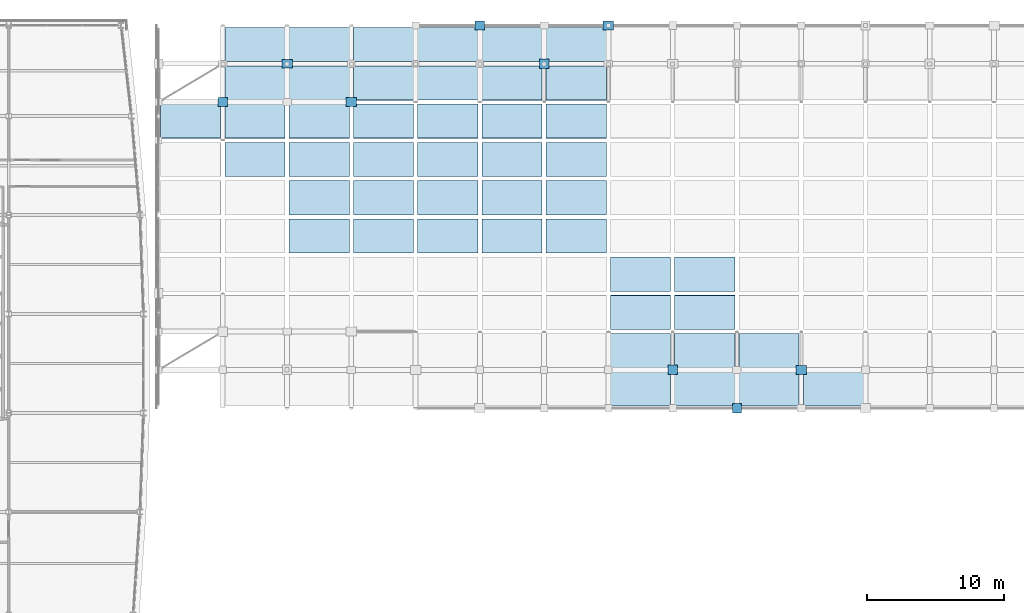
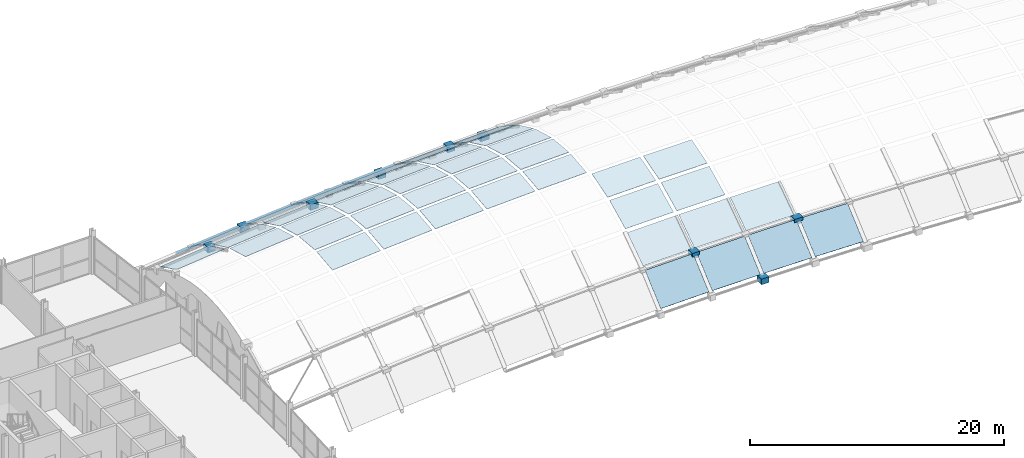
# One storey, part 44 of 65: 55 plates, 1 element without a shape of its own.
"""IFC4 building model written with IfcOpenShell, lengths in metres."""

from ifc_helpers import new_model, si_unit, direction, frame, origin, origin_2d, place, context, subcontext, project, spatial, polyline, rectangle, outline, extrude, material, layer, layer_set, type_object, element, aggregate, save


model = new_model("IFC4")

# Units and contexts
model_context = context("Model", 3, precision=1e-05, world=origin(), true_north=direction((0.0, 1.0)))
body_context = subcontext(model_context, "Body", "Model", "MODEL_VIEW")
ifc_project = project(units=[si_unit("LENGTHUNIT", "METRE"), si_unit("AREAUNIT", "SQUARE_METRE"), si_unit("VOLUMEUNIT", "CUBIC_METRE"), si_unit("PLANEANGLEUNIT", "RADIAN"), si_unit("MASSUNIT", "GRAM", prefix="KILO")], contexts=[model_context])

# Site, building, storey
site_placement = place(None, origin())
site = spatial("IfcSite", under=ifc_project, at=site_placement, CompositionType="ELEMENT")
building_placement = place(site_placement, origin())
building = spatial("IfcBuilding", under=site, at=building_placement, Name="Quillay Park Conservatory", CompositionType="ELEMENT")
storey_placement = place(building_placement, frame((0.0, 0.0, 14.10009765625)))
storey = spatial("IfcBuildingStorey", under=building, at=storey_placement, Name="L03", CompositionType="ELEMENT", Elevation=14.10009765625)

# Plates
ifc_material_1 = material(Name="Steel S355J2H", Category="steel")
ifc_layer_1 = layer(ifc_material_1, 0.0439453125)
ifc_layer_set_1 = layer_set([ifc_layer_1], Name="BOLTED GUSSET NODE PLATE GN04 (Steel S355J2H)")
plate_type_1 = type_object("IfcPlateType", Name="BOLTED GUSSET NODE PLATE GN04", PredefinedType="USERDEFINED", material=ifc_layer_set_1)
for number, where, z_axis, x_axis, name in (
    (1, (35.327880859375, 107.830078125, 2.991943359375), (0.0, 0.0, 1.0), (1.0, 0.0, 0.0), "Conservatory gridshell star node GN04 (1,8)"),
    (2, (54.038818359375, 113.39990234375, 0.128662109375), (0.0, 0.0, 1.0), (1.0, 0.0, 0.0), "Conservatory gridshell star node GN04 (5,10)"),
    (3, (58.716796875, 110.614990234375, 2.734130859375), (0.0, 0.0, 1.0), (1.0, 0.0, 0.0), "Conservatory gridshell star node GN04 (6,9)"),
    (4, (68.072265625, 88.3349609375, 2.773193359375), (0.0, 0.0, 1.0), (1.0, 0.0, 0.0), "Conservatory gridshell star node GN04 (8,1)"),
    (5, (72.75, 85.550048828125, 0.359130859375), (0.0, 0.0, 1.0), (1.0, 0.0, 0.0), "Conservatory gridshell star node GN04 (9,0)"),
):
    element("IfcPlate", number, at=place(storey_placement, frame(where, z_axis=z_axis, x_axis=x_axis)), inside=storey, type_object=plate_type_1, Name=name, ObjectType="GUSSET PLATE", PredefinedType="USERDEFINED", context=body_context, shape_type="SweptSolid", body=[
        extrude(rectangle(XDim=0.679931640625, YDim=0.679931640625, at=origin_2d()), origin(), (0.0, 0.0, 1.0), 0.5400390625),
    ])
ifc_material_2 = material(Name="Steel S355J2H", Category="steel")
ifc_layer_2 = layer(ifc_material_2, 0.052001953125)
ifc_layer_set_2 = layer_set([ifc_layer_2], Name="BOLTED GUSSET NODE PLATE GN06 (Steel S355J2H)")
plate_type_2 = type_object("IfcPlateType", Name="BOLTED GUSSET NODE PLATE GN06", PredefinedType="USERDEFINED", material=ifc_layer_set_2)
for number, where, z_axis, x_axis, name in (
    (6, (40.005615234375, 110.614990234375, 1.570068359375), (0.0, 0.0, 1.0), (1.0, 0.0, 0.0), "Conservatory gridshell star node GN06 (2,9)"),
    (7, (44.683349609375, 107.830078125, 3.808349609375), (0.0, 0.0, 1.0), (1.0, 0.0, 0.0), "Conservatory gridshell star node GN06 (3,8)"),
    (8, (63.394287109375, 113.39990234375, 0.480224609375), (0.0, 0.0, 1.0), (1.0, 0.0, 0.0), "Conservatory gridshell star node GN06 (7,10)"),
    (9, (77.427734375, 88.3349609375, 2.773193359375), (0.0, 0.0, 1.0), (1.0, 0.0, 0.0), "Conservatory gridshell star node GN06 (10,1)"),
):
    element("IfcPlate", number, at=place(storey_placement, frame(where, z_axis=z_axis, x_axis=x_axis)), inside=storey, type_object=plate_type_2, Name=name, ObjectType="GUSSET PLATE", PredefinedType="USERDEFINED", context=body_context, shape_type="SweptSolid", body=[
        extrude(rectangle(XDim=0.760009765625, YDim=0.639892578125, at=origin_2d()), origin(), (0.0, 0.0, 1.0), 0.5400390625),
    ])

# Roof, plates
ifc_material_3 = material(Name="Low-Iron Laminated Insulated Glazing", Category="glass")
roof_type = type_object("IfcRoofType", Name="TRANSLATIONAL GRIDSHELL ROOF", PredefinedType="FREEFORM", material=ifc_material_3)
roof_placement = place(storey_placement, origin())
roof = element("IfcRoof", 10, at=roof_placement, inside=storey, type_object=roof_type, Name="Multi-Biome Conservatory Translational Gridshell Roof", PredefinedType="FREEFORM")
ifc_material_4 = material(Name="Low-Iron Laminated Insulated Glazing", Category="glass")
ifc_layer_3 = layer(ifc_material_4, 0.033935546875)
ifc_layer_set_3 = layer_set([ifc_layer_3], Name="GRIDSHELL GLAZED PANEL 34 (Low-Iron Laminated Insulated Glazing)")
plate_type_3 = type_object("IfcPlateType", Name="GRIDSHELL GLAZED PANEL 34", PredefinedType="SHEET", material=ifc_layer_set_3)
plate_1_placement = place(storey_placement, frame((35.477783203125, 107.97998046875, 3.41162109375), z_axis=(-0.077667705746, 0.553813736273, 0.829010297282), x_axis=(0.995640029065, 0.0, 0.09327878925)))
plate_1 = element("IfcPlate", 11, at=plate_1_placement, type_object=plate_type_3, Name="Conservatory Gridshell Roof Glazing Panel 01-08", PredefinedType="SHEET", context=body_context, shape_type="SweptSolid", body=[
    extrude(outline(polyline([(0.0, 0.0), (4.397100919709247, 2.7755575615628914e-17), (4.242243554743631, 2.9846100028627154), (-0.15485736496561642, 2.9846100028627154), (0.0, 0.0)])), origin(), (0.0, 0.0, -1.0), 0.033935546875),
])
plate_2_placement = place(storey_placement, frame((40.155517578125, 96.840087890625, 6.01708984375), z_axis=(-0.080478265234, -0.105946884603, 0.991109734826), x_axis=(0.996719480928, 0.0, 0.080933777493)))
plate_2 = element("IfcPlate", 12, at=plate_2_placement, type_object=plate_type_3, Name="Conservatory Gridshell Roof Glazing Panel 02-04", PredefinedType="SHEET", context=body_context, shape_type="SweptSolid", body=[
    extrude(outline(polyline([(0.0, 0.0), (4.392093894664006, 0.0), (4.4135919293106385, 2.4989277703919033), (0.02149803464663253, 2.4989277703919033), (0.0, 0.0)])), origin(), (0.0, 0.0, -1.0), 0.033935546875),
])
plate_3_placement = place(storey_placement, frame((40.155517578125, 105.195068359375, 5.19677734375), z_axis=(-0.07315684118, 0.427722955998, 0.900944587364), x_axis=(0.996719480928, 0.0, 0.080933777493)))
plate_3 = element("IfcPlate", 13, at=plate_3_placement, type_object=plate_type_3, Name="Conservatory Gridshell Roof Glazing Panel 02-07", PredefinedType="SHEET", context=body_context, shape_type="SweptSolid", body=[
    extrude(outline(polyline([(0.0, 0.0), (4.392093894664006, 0.0), (4.296617329027491, 2.749016615005268), (-0.09547656563651506, 2.749016615005268), (0.0, 0.0)])), origin(), (0.0, 0.0, -1.0), 0.033935546875),
])
plate_4_placement = place(storey_placement, frame((44.833251953125, 102.409912109375, 6.38818359375), z_axis=(-0.065991839217, 0.270256503763, 0.960524075352), x_axis=(0.997648203197, 0.0, 0.068542415031)))
plate_4 = element("IfcPlate", 14, at=plate_4_placement, type_object=plate_type_3, Name="Conservatory Gridshell Roof Glazing Panel 03-06", PredefinedType="SHEET", context=body_context, shape_type="SweptSolid", body=[
    extrude(outline(polyline([(0.0, 0.0), (4.388249959727159, 1.3877787807814457e-17), (4.340323817967104, 2.581156493424172), (-0.04792614176005456, 2.581156493424172), (0.0, 0.0)])), origin(), (0.0, 0.0, -1.0), 0.033935546875),
])
plate_5_placement = place(storey_placement, frame((44.833251953125, 110.764892578125, 2.33349609375), z_axis=(-0.051984404534, 0.651758228332, 0.756643134831), x_axis=(0.997648203197, 0.0, 0.068542415031)))
plate_5 = element("IfcPlate", 15, at=plate_5_placement, type_object=plate_type_3, Name="Conservatory Gridshell Roof Glazing Panel 03-09", PredefinedType="SHEET", context=body_context, shape_type="SweptSolid", body=[
    extrude(outline(polyline([(0.0, 0.0), (4.388249959727159, 5.551115123125783e-17), (4.2415263525511255, 3.276660872287589), (-0.14672360717603297, 3.2766608722875885), (0.0, 0.0)])), origin(), (0.0, 0.0, -1.0), 0.033935546875),
])
plate_6_placement = place(storey_placement, frame((49.510986328125, 99.625, 6.97802734375), z_axis=(-0.055908257904, 0.087548166115, 0.994590159467), x_axis=(0.998423819779, 0.0, 0.05612375699)))
plate_6 = element("IfcPlate", 16, at=plate_6_placement, type_object=plate_type_3, Name="Conservatory Gridshell Roof Glazing Panel 04-05", PredefinedType="SHEET", context=body_context, shape_type="SweptSolid", body=[
    extrude(outline(polyline([(0.0, 0.0), (4.384840987137722, 0.0), (4.372563915296255, 2.494686299771017), (-0.012277071841467254, 2.494686299771017), (0.0, 0.0)])), origin(), (0.0, 0.0, -1.0), 0.033935546875),
])
plate_7_placement = place(storey_placement, frame((49.510986328125, 107.97998046875, 4.54052734375), z_axis=(-0.046690839202, 0.554885883387, 0.830615206911), x_axis=(0.998423819779, 0.0, 0.05612375699)))
plate_7 = element("IfcPlate", 17, at=plate_7_placement, type_object=plate_type_3, Name="Conservatory Gridshell Roof Glazing Panel 04-08", PredefinedType="SHEET", context=body_context, shape_type="SweptSolid", body=[
    extrude(outline(polyline([(0.0, 0.0), (4.384840987137722, -2.7755575615628914e-17), (4.291666781198016, 2.98717194684534), (-0.09317420593970685, 2.9871719468453404), (0.0, 0.0)])), origin(), (0.0, 0.0, -1.0), 0.033935546875),
])
plate_8_placement = place(storey_placement, frame((54.18896484375, 96.840087890625, 6.97412109375), z_axis=(-0.043434440419, -0.106191346437, 0.993396621359), x_axis=(0.999045510911, 0.0, 0.043681427726)))
plate_8 = element("IfcPlate", 18, at=plate_8_placement, type_object=plate_type_3, Name="Conservatory Gridshell Roof Glazing Panel 05-04", PredefinedType="SHEET", context=body_context, shape_type="SweptSolid", body=[
    extrude(outline(polyline([(0.0, 0.0), (4.381867992061984, 0.0), (4.3934708713016954, 2.4989933053777604), (0.011602879239710972, 2.4989933053777604), (0.0, 0.0)])), origin(), (0.0, 0.0, -1.0), 0.033935546875),
])
plate_9_placement = place(storey_placement, frame((54.18896484375, 105.195068359375, 6.15380859375), z_axis=(-0.039467207924, 0.428537992304, 0.902661358789), x_axis=(0.999045510911, 0.0, 0.043681427726)))
plate_9 = element("IfcPlate", 19, at=plate_9_placement, type_object=plate_type_3, Name="Conservatory Gridshell Roof Glazing Panel 05-07", PredefinedType="SHEET", context=body_context, shape_type="SweptSolid", body=[
    extrude(outline(polyline([(0.0, 0.0), (4.381867992061984, 0.0), (4.330337557791504, 2.750191400340104), (-0.05153043427048108, 2.7501914003401042), (0.0, 0.0)])), origin(), (0.0, 0.0, -1.0), 0.033935546875),
])
plate_10_placement = place(storey_placement, frame((58.86669921875, 102.409912109375, 7.16943359375), z_axis=(-0.030049920257, 0.270724591256, 0.962187714524), x_axis=(0.999512674112, 0.0, 0.031215609698)))
plate_10 = element("IfcPlate", 20, at=plate_10_placement, type_object=plate_type_3, Name="Conservatory Gridshell Roof Glazing Panel 06-06", PredefinedType="SHEET", context=body_context, shape_type="SweptSolid", body=[
    extrude(outline(polyline([(0.0, 0.0), (4.379819946518331, 0.0), (4.357993406924493, 2.581509124674777), (-0.02182653959383771, 2.581509124674777), (0.0, 0.0)])), origin(), (0.0, 0.0, -1.0), 0.033935546875),
])
plate_11_placement = place(storey_placement, frame((58.86669921875, 110.764892578125, 3.11474609375), z_axis=(-0.023655965064, 0.652458029956, 0.757455552797), x_axis=(0.999512674112, 0.0, 0.031215609698)))
plate_11 = element("IfcPlate", 21, at=plate_11_placement, type_object=plate_type_3, Name="Conservatory Gridshell Roof Glazing Panel 06-09", PredefinedType="SHEET", context=body_context, shape_type="SweptSolid", body=[
    extrude(outline(polyline([(0.0, 0.0), (4.379819946518331, 1.3877787807814457e-17), (4.312999032007587, 3.279263523150763), (-0.06682091451074339, 3.279263523150763), (0.0, 0.0)])), origin(), (0.0, 0.0, -1.0), 0.033935546875),
])
plate_12_placement = place(storey_placement, frame((63.54443359375, 91.27001953125, 5.17724609375), z_axis=(-0.016800553904, -0.44256393277, 0.89657955966), x_axis=(0.999824480576, 0.0, 0.018735208604)))
plate_12 = element("IfcPlate", 22, at=plate_12_placement, type_object=plate_type_3, Name="Conservatory Gridshell Roof Glazing Panel 07-02", PredefinedType="SHEET", context=body_context, shape_type="SweptSolid", body=[
    extrude(outline(polyline([(0.0, 0.0), (4.378454050609054, 0.0), (4.401433954912065, 2.771005777133818), (0.02297990430301056, 2.771005777133818), (0.0, 0.0)])), origin(), (0.0, 0.0, -1.0), 0.033935546875),
])
plate_13_placement = place(storey_placement, frame((68.22216796875, 88.485107421875, 3.38427734375), z_axis=(-0.005151792907, -0.565344445679, 0.824838842908), x_axis=(0.999980495452, 0.0, 0.006245695711)))
plate_13 = element("IfcPlate", 23, at=plate_13_placement, type_object=plate_type_3, Name="Conservatory Gridshell Roof Glazing Panel 08-01", PredefinedType="SHEET", context=body_context, shape_type="SweptSolid", body=[
    extrude(outline(polyline([(0.0, 0.0), (4.378015078703808, 0.0), (4.388652279211701, 3.0124852102698982), (0.010637200507892691, 3.0124852102698982), (0.0, 0.0)])), origin(), (0.0, 0.0, -1.0), 0.033935546875),
])
plate_14_placement = place(storey_placement, frame((72.89990234375, 85.699951171875, 0.99365234375), z_axis=(0.004691857355, -0.660058128477, 0.751199875869), x_axis=(0.999980495452, 0.0, -0.006245695711)))
plate_14 = element("IfcPlate", 24, at=plate_14_placement, type_object=plate_type_3, Name="Conservatory Gridshell Roof Glazing Panel 09-00", PredefinedType="SHEET", context=body_context, shape_type="SweptSolid", body=[
    extrude(outline(polyline([(0.0, 0.0), (4.378015078703808, 3.469446951953614e-18), (4.364377016584744, 3.308119490973522), (-0.013638062119064253, 3.308119490973522), (0.0, 0.0)])), origin(), (0.0, 0.0, -1.0), 0.033935546875),
])
ifc_material_5 = material(Name="Low-Iron Laminated Insulated Glazing", Category="glass")
ifc_layer_4 = layer(ifc_material_5, 0.0380859375)
ifc_layer_set_4 = layer_set([ifc_layer_4], Name="GRIDSHELL GLAZED PANEL 38 (Low-Iron Laminated Insulated Glazing)")
plate_type_4 = type_object("IfcPlateType", Name="GRIDSHELL GLAZED PANEL 38", PredefinedType="SHEET", material=ifc_layer_set_4)
plate_15_placement = place(storey_placement, frame((30.800048828125, 105.195068359375, 4.27099609375), z_axis=(-0.094690206135, 0.426945127604, 0.899306189725), x_axis=(0.994502413448, 0.0, 0.10471365549)))
plate_15 = element("IfcPlate", 25, at=plate_15_placement, type_object=plate_type_4, Name="Conservatory Gridshell Roof Glazing Panel 00-07", PredefinedType="SHEET", context=body_context, shape_type="SweptSolid", body=[
    extrude(outline(polyline([(0.0, 0.0), (4.401885292261092, 0.0), (4.27835590180032, 2.7478989453495486), (-0.12352939046077203, 2.7478989453495486), (0.0, 0.0)])), origin(), (0.0, 0.0, -1.0), 0.0380859375),
])
plate_16_placement = place(storey_placement, frame((35.477783203125, 102.409912109375, 5.57568359375), z_axis=(-0.089820925478, 0.2697521242, 0.9587314498), x_axis=(0.995640029065, 0.0, 0.09327878925)))
plate_16 = element("IfcPlate", 26, at=plate_16_placement, type_object=plate_type_4, Name="Conservatory Gridshell Roof Glazing Panel 01-06", PredefinedType="SHEET", context=body_context, shape_type="SweptSolid", body=[
    extrude(outline(polyline([(0.0, 0.0), (4.397100919709247, -1.3877787807814457e-17), (4.3318786412884345, 2.580777366028959), (-0.06522227842081256, 2.5807773660289586), (0.0, 0.0)])), origin(), (0.0, 0.0, -1.0), 0.0380859375),
])
plate_17_placement = place(storey_placement, frame((35.477783203125, 110.764892578125, 1.52099609375), z_axis=(-0.070805641738, 0.651002623209, 0.755765933125), x_axis=(0.995640029065, 0.0, 0.09327878925)))
plate_17 = element("IfcPlate", 27, at=plate_17_placement, type_object=plate_type_4, Name="Conservatory Gridshell Roof Glazing Panel 01-09", PredefinedType="SHEET", context=body_context, shape_type="SweptSolid", body=[
    extrude(outline(polyline([(0.0, 0.0), (4.397100919709247, 0.0), (4.197426011471229, 3.273860751452839), (-0.19967490823801834, 3.2738607514528395), (0.0, 0.0)])), origin(), (0.0, 0.0, -1.0), 0.0380859375),
])
plate_18_placement = place(storey_placement, frame((40.155517578125, 99.625, 6.28271484375), z_axis=(-0.080624069044, 0.087399861375, 0.992905344795), x_axis=(0.996719480928, 0.0, 0.080933777493)))
plate_18 = element("IfcPlate", 28, at=plate_18_placement, type_object=plate_type_4, Name="Conservatory Gridshell Roof Glazing Panel 02-05", PredefinedType="SHEET", context=body_context, shape_type="SweptSolid", body=[
    extrude(outline(polyline([(0.0, 0.0), (4.392093894664006, -3.469446951953614e-18), (4.374389630837367, 2.4946536873483196), (-0.017704263826638554, 2.4946536873483196), (0.0, 0.0)])), origin(), (0.0, 0.0, -1.0), 0.0380859375),
])
plate_19_placement = place(storey_placement, frame((40.155517578125, 107.97998046875, 3.84521484375), z_axis=(-0.067366338304, 0.554229803178, 0.829633112727), x_axis=(0.996719480928, 0.0, 0.080933777493)))
plate_19 = element("IfcPlate", 29, at=plate_19_placement, type_object=plate_type_4, Name="Conservatory Gridshell Roof Glazing Panel 02-08", PredefinedType="SHEET", context=body_context, shape_type="SweptSolid", body=[
    extrude(outline(polyline([(0.0, 0.0), (4.392093894664006, 0.0), (4.257731178122552, 2.9856028424885777), (-0.13436271654145332, 2.985602842488577), (0.0, 0.0)])), origin(), (0.0, 0.0, -1.0), 0.0380859375),
])
plate_20_placement = place(storey_placement, frame((44.833251953125, 96.840087890625, 6.39599609375), z_axis=(-0.068155930786, -0.106044494056, 0.992022849726), x_axis=(0.997648203197, 0.0, 0.068542415031)))
plate_20 = element("IfcPlate", 30, at=plate_20_placement, type_object=plate_type_4, Name="Conservatory Gridshell Roof Glazing Panel 03-04", PredefinedType="SHEET", context=body_context, shape_type="SweptSolid", body=[
    extrude(outline(polyline([(0.0, 0.0), (4.388249959727159, -6.938893903907228e-18), (4.406456538719805, 2.498953918664949), (0.018206578992646428, 2.498953918664949), (0.0, 0.0)])), origin(), (0.0, 0.0, -1.0), 0.0380859375),
])
plate_21_placement = place(storey_placement, frame((44.833251953125, 105.195068359375, 5.57568359375), z_axis=(-0.061945602568, 0.42804850373, 0.901630312699), x_axis=(0.997648203197, 0.0, 0.068542415031)))
plate_21 = element("IfcPlate", 31, at=plate_21_placement, type_object=plate_type_4, Name="Conservatory Gridshell Roof Glazing Panel 03-07", PredefinedType="SHEET", context=body_context, shape_type="SweptSolid", body=[
    extrude(outline(polyline([(0.0, 0.0), (4.388249959727159, 2.7755575615628914e-17), (4.307391329495111, 2.7494854075040593), (-0.08085863023204738, 2.7494854075040593), (0.0, 0.0)])), origin(), (0.0, 0.0, -1.0), 0.0380859375),
])
plate_22_placement = place(storey_placement, frame((49.510986328125, 102.409912109375, 6.70458984375), z_axis=(-0.05403223059, 0.270451250629, 0.961216229103), x_axis=(0.998423819779, 0.0, 0.05612375699)))
plate_22 = element("IfcPlate", 32, at=plate_22_placement, type_object=plate_type_4, Name="Conservatory Gridshell Roof Glazing Panel 04-06", PredefinedType="SHEET", context=body_context, shape_type="SweptSolid", body=[
    extrude(outline(polyline([(0.0, 0.0), (4.384840987137722, 1.3877787807814457e-17), (4.345598203930176, 2.58130311326971), (-0.03924278320754712, 2.5813031132697097), (0.0, 0.0)])), origin(), (0.0, 0.0, -1.0), 0.0380859375),
])
plate_23_placement = place(storey_placement, frame((49.510986328125, 110.764892578125, 2.64990234375), z_axis=(-0.042551705611, 0.652049547055, 0.756981334337), x_axis=(0.998423819779, 0.0, 0.05612375699)))
plate_23 = element("IfcPlate", 33, at=plate_23_placement, type_object=plate_type_4, Name="Conservatory Gridshell Roof Glazing Panel 04-09", PredefinedType="SHEET", context=body_context, shape_type="SweptSolid", body=[
    extrude(outline(polyline([(0.0, 0.0), (4.384840987137722, 0.0), (4.264701069831935, 3.2777432311199988), (-0.12013991730578671, 3.2777432311199988), (0.0, 0.0)])), origin(), (0.0, 0.0, -1.0), 0.0380859375),
])
plate_24_placement = place(storey_placement, frame((54.18896484375, 99.625, 7.23974609375), z_axis=(-0.043513495871, 0.087602261738, 0.995204712316), x_axis=(0.999045510911, 0.0, 0.043681427726)))
plate_24 = element("IfcPlate", 34, at=plate_24_placement, type_object=plate_type_4, Name="Conservatory Gridshell Roof Glazing Panel 05-05", PredefinedType="SHEET", context=body_context, shape_type="SweptSolid", body=[
    extrude(outline(polyline([(0.0, 0.0), (4.381867992061984, 3.469446951953614e-18), (4.372312679746928, 2.4946982095565735), (-0.009555312315056094, 2.494698209556573), (0.0, 0.0)])), origin(), (0.0, 0.0, -1.0), 0.0380859375),
])
plate_25_placement = place(storey_placement, frame((54.18896484375, 107.97998046875, 4.80224609375), z_axis=(-0.036332768888, 0.555124944208, 0.830973059866), x_axis=(0.999045510911, 0.0, 0.043681427726)))
plate_25 = element("IfcPlate", 35, at=plate_25_placement, type_object=plate_type_4, Name="Conservatory Gridshell Roof Glazing Panel 05-08", PredefinedType="SHEET", context=body_context, shape_type="SweptSolid", body=[
    extrude(outline(polyline([(0.0, 0.0), (4.381867992061984, 0.0), (4.309349996813791, 2.987744770397474), (-0.07251799524819356, 2.987744770397474), (0.0, 0.0)])), origin(), (0.0, 0.0, -1.0), 0.0380859375),
])
plate_26_placement = place(storey_placement, frame((58.86669921875, 96.840087890625, 7.17724609375), z_axis=(-0.03103894399, -0.106240442182, 0.993855901226), x_axis=(0.999512674112, 0.0, 0.031215609698)))
plate_26 = element("IfcPlate", 36, at=plate_26_placement, type_object=plate_type_4, Name="Conservatory Gridshell Roof Glazing Panel 06-04", PredefinedType="SHEET", context=body_context, shape_type="SweptSolid", body=[
    extrude(outline(polyline([(0.0, 0.0), (4.379819946518331, 0.0), (4.388111592844481, 2.4990064857320236), (0.00829164632615064, 2.4990064857320236), (0.0, 0.0)])), origin(), (0.0, 0.0, -1.0), 0.0380859375),
])
plate_27_placement = place(storey_placement, frame((58.86669921875, 105.195068359375, 6.35693359375), z_axis=(-0.028201622869, 0.428701559382, 0.903005892257), x_axis=(0.999512674112, 0.0, 0.031215609698)))
plate_27 = element("IfcPlate", 37, at=plate_27_placement, type_object=plate_type_4, Name="Conservatory Gridshell Roof Glazing Panel 06-07", PredefinedType="SHEET", context=body_context, shape_type="SweptSolid", body=[
    extrude(outline(polyline([(0.0, 0.0), (4.379819946518331, 0.0), (4.342995281952191, 2.7504276155246044), (-0.0368246645661396, 2.750427615524604), (0.0, 0.0)])), origin(), (0.0, 0.0, -1.0), 0.0380859375),
])
plate_28_placement = place(storey_placement, frame((63.54443359375, 85.699951171875, 0.88037109375), z_axis=(-0.014075117579, -0.660000008036, 0.751133730076), x_axis=(0.999824480576, 0.0, 0.018735208604)))
plate_28 = element("IfcPlate", 38, at=plate_28_placement, type_object=plate_type_4, Name="Conservatory Gridshell Roof Glazing Panel 07-00", PredefinedType="SHEET", context=body_context, shape_type="SweptSolid", body=[
    extrude(outline(polyline([(0.0, 0.0), (4.378454050609054, -6.938893903907228e-18), (4.419364135021102, 3.307894636818209), (0.040910084412047465, 3.307894636818209), (0.0, 0.0)])), origin(), (0.0, 0.0, -1.0), 0.0380859375),
])
plate_29_placement = place(storey_placement, frame((63.54443359375, 94.054931640625, 6.52099609375), z_axis=(-0.017951969492, -0.286118410659, 0.958026086217), x_axis=(0.999824480576, 0.0, 0.018735208604)))
plate_29 = element("IfcPlate", 39, at=plate_29_placement, type_object=plate_type_4, Name="Conservatory Gridshell Roof Glazing Panel 07-03", PredefinedType="SHEET", context=body_context, shape_type="SweptSolid", body=[
    extrude(outline(polyline([(0.0, 0.0), (4.378454050609054, -3.469446951953614e-18), (4.392359088244634, 2.593531922560973), (0.013905037635579638, 2.593531922560973), (0.0, 0.0)])), origin(), (0.0, 0.0, -1.0), 0.0380859375),
])
plate_30_placement = place(storey_placement, frame((68.22216796875, 91.27001953125, 5.26318359375), z_axis=(-0.00560057497, -0.442619462874, 0.896692056754), x_axis=(0.999980495452, 0.0, 0.006245695711)))
plate_30 = element("IfcPlate", 40, at=plate_30_placement, type_object=plate_type_4, Name="Conservatory Gridshell Roof Glazing Panel 08-02", PredefinedType="SHEET", context=body_context, shape_type="SweptSolid", body=[
    extrude(outline(polyline([(0.0, 0.0), (4.378015078703808, -1.734723475976807e-18), (4.3856758148494, 2.771090472365072), (0.007660736145592442, 2.771090472365072), (0.0, 0.0)])), origin(), (0.0, 0.0, -1.0), 0.0380859375),
])
plate_31_placement = place(storey_placement, frame((72.89990234375, 88.485107421875, 3.41162109375), z_axis=(0.005151792907, -0.565344445679, 0.824838842908), x_axis=(0.999980495452, 0.0, -0.006245695711)))
plate_31 = element("IfcPlate", 41, at=plate_31_placement, type_object=plate_type_4, Name="Conservatory Gridshell Roof Glazing Panel 09-01", PredefinedType="SHEET", context=body_context, shape_type="SweptSolid", body=[
    extrude(outline(polyline([(0.0, 0.0), (4.378015078703808, 0.0), (4.367377878195915, 3.0124852102698982), (-0.010637200507892691, 3.0124852102698982), (0.0, 0.0)])), origin(), (0.0, 0.0, -1.0), 0.0380859375),
])
plate_32_placement = place(storey_placement, frame((77.577880859375, 85.699951171875, 0.96240234375), z_axis=(0.014075117579, -0.660000008036, 0.751133730076), x_axis=(0.999824480576, 0.0, -0.018735208604)))
plate_32 = element("IfcPlate", 42, at=plate_32_placement, type_object=plate_type_4, Name="Conservatory Gridshell Roof Glazing Panel 10-00", PredefinedType="SHEET", context=body_context, shape_type="SweptSolid", body=[
    extrude(outline(polyline([(0.0, 0.0), (4.378454050609054, 6.938893903907228e-18), (4.337543966197007, 3.307894636818209), (-0.040910084412047465, 3.307894636818209), (0.0, 0.0)])), origin(), (0.0, 0.0, -1.0), 0.0380859375),
])
ifc_material_6 = material(Name="Low-Iron Laminated Insulated Glazing", Category="glass")
ifc_layer_5 = layer(ifc_material_6, 0.0419921875)
ifc_layer_set_5 = layer_set([ifc_layer_5], Name="GRIDSHELL GLAZED PANEL 42 (Low-Iron Laminated Insulated Glazing)")
plate_type_5 = type_object("IfcPlateType", Name="GRIDSHELL GLAZED PANEL 42", PredefinedType="SHEET", material=ifc_layer_set_5)
plate_33_placement = place(storey_placement, frame((35.477783203125, 105.195068359375, 4.76318359375), z_axis=(-0.084332320857, 0.427344363321, 0.900147129528), x_axis=(0.995640029065, 0.0, 0.09327878925)))
plate_33 = element("IfcPlate", 43, at=plate_33_placement, type_object=plate_type_5, Name="Conservatory Gridshell Roof Glazing Panel 01-07", PredefinedType="SHEET", context=body_context, shape_type="SweptSolid", body=[
    extrude(outline(polyline([(0.0, 0.0), (4.397100919709247, 2.7755575615628914e-17), (4.287061098016033, 2.748472186834441), (-0.11003982169321448, 2.748472186834441), (0.0, 0.0)])), origin(), (0.0, 0.0, -1.0), 0.0419921875),
])
plate_34_placement = place(storey_placement, frame((40.155517578125, 102.409912109375, 6.00927734375), z_axis=(-0.077927394923, 0.270023270477, 0.959695136239), x_axis=(0.996719480928, 0.0, 0.080933777493)))
plate_34 = element("IfcPlate", 44, at=plate_34_placement, type_object=plate_type_5, Name="Conservatory Gridshell Roof Glazing Panel 02-06", PredefinedType="SHEET", context=body_context, shape_type="SweptSolid", body=[
    extrude(outline(polyline([(0.0, 0.0), (4.392093894664006, 1.3877787807814457e-17), (4.335503479932429, 2.580981069975191), (-0.05659041473157681, 2.5809810699751905), (0.0, 0.0)])), origin(), (0.0, 0.0, -1.0), 0.0419921875),
])
plate_35_placement = place(storey_placement, frame((40.155517578125, 110.764892578125, 1.95458984375), z_axis=(-0.061406622101, 0.651409023761, 0.756237734132), x_axis=(0.996719480928, 0.0, 0.080933777493)))
plate_35 = element("IfcPlate", 45, at=plate_35_placement, type_object=plate_type_5, Name="Conservatory Gridshell Roof Glazing Panel 02-09", PredefinedType="SHEET", context=body_context, shape_type="SweptSolid", body=[
    extrude(outline(polyline([(0.0, 0.0), (4.392093894664006, 0.0), (4.218845027217614, 3.275365493927625), (-0.17324886744639156, 3.2753654939276244), (0.0, 0.0)])), origin(), (0.0, 0.0, -1.0), 0.0419921875),
])
plate_36_placement = place(storey_placement, frame((44.833251953125, 99.625, 6.66162109375), z_axis=(-0.068279638267, 0.087480675788, 0.993823436211), x_axis=(0.997648203197, 0.0, 0.068542415031)))
plate_36 = element("IfcPlate", 46, at=plate_36_placement, type_object=plate_type_5, Name="Conservatory Gridshell Roof Glazing Panel 03-05", PredefinedType="SHEET", context=body_context, shape_type="SweptSolid", body=[
    extrude(outline(polyline([(0.0, 0.0), (4.388249959727159, 3.469446951953614e-18), (4.373256306439097, 2.494671451538115), (-0.014993653288061763, 2.494671451538115), (0.0, 0.0)])), origin(), (0.0, 0.0, -1.0), 0.0419921875),
])
plate_37_placement = place(storey_placement, frame((44.833251953125, 107.97998046875, 4.22412109375), z_axis=(-0.057035888221, 0.554587440297, 0.830168463939), x_axis=(0.997648203197, 0.0, 0.068542415031)))
plate_37 = element("IfcPlate", 47, at=plate_37_placement, type_object=plate_type_5, Name="Conservatory Gridshell Roof Glazing Panel 03-08", PredefinedType="SHEET", context=body_context, shape_type="SweptSolid", body=[
    extrude(outline(polyline([(0.0, 0.0), (4.388249959727159, 5.551115123125783e-17), (4.274458841023119, 2.9864576430909504), (-0.11379111870404018, 2.9864576430909504), (0.0, 0.0)])), origin(), (0.0, 0.0, -1.0), 0.0419921875),
])
plate_38_placement = place(storey_placement, frame((49.510986328125, 96.840087890625, 6.71240234375), z_axis=(-0.055806808678, -0.10612600963, 0.992785409938), x_axis=(0.998423819779, 0.0, 0.05612375699)))
plate_38 = element("IfcPlate", 48, at=plate_38_placement, type_object=plate_type_5, Name="Conservatory Gridshell Roof Glazing Panel 04-04", PredefinedType="SHEET", context=body_context, shape_type="SweptSolid", body=[
    extrude(outline(polyline([(0.0, 0.0), (4.384840987137722, 0.0), (4.399748860088075, 2.4989757746832226), (0.014907872950353096, 2.498975774683223), (0.0, 0.0)])), origin(), (0.0, 0.0, -1.0), 0.0419921875),
])
plate_39_placement = place(storey_placement, frame((49.510986328125, 105.195068359375, 5.89208984375), z_axis=(-0.050714942275, 0.428320255258, 0.902202723098), x_axis=(0.998423819779, 0.0, 0.05612375699)))
plate_39 = element("IfcPlate", 49, at=plate_39_placement, type_object=plate_type_5, Name="Conservatory Gridshell Roof Glazing Panel 04-07", PredefinedType="SHEET", context=body_context, shape_type="SweptSolid", body=[
    extrude(outline(polyline([(0.0, 0.0), (4.384840987137722, 0.0), (4.318632492564095, 2.7498771898772243), (-0.06620849457362699, 2.7498771898772243), (0.0, 0.0)])), origin(), (0.0, 0.0, -1.0), 0.0419921875),
])
plate_40_placement = place(storey_placement, frame((54.18896484375, 102.409912109375, 6.96630859375), z_axis=(-0.042051665481, 0.270607324924, 0.961770935893), x_axis=(0.999045510911, 0.0, 0.043681427726)))
plate_40 = element("IfcPlate", 50, at=plate_40_placement, type_object=plate_type_5, Name="Conservatory Gridshell Roof Glazing Panel 05-06", PredefinedType="SHEET", context=body_context, shape_type="SweptSolid", body=[
    extrude(outline(polyline([(0.0, 0.0), (4.381867992061984, 0.0), (4.351325118769216, 2.5814207118369517), (-0.030542873292768585, 2.5814207118369517), (0.0, 0.0)])), origin(), (0.0, 0.0, -1.0), 0.0419921875),
])
plate_41_placement = place(storey_placement, frame((54.18896484375, 110.764892578125, 2.91162109375), z_axis=(-0.033109458744, 0.652282843625, 0.757252174414), x_axis=(0.999045510911, 0.0, 0.043681427726)))
plate_41 = element("IfcPlate", 51, at=plate_41_placement, type_object=plate_type_5, Name="Conservatory Gridshell Roof Glazing Panel 05-09", PredefinedType="SHEET", context=body_context, shape_type="SweptSolid", body=[
    extrude(outline(polyline([(0.0, 0.0), (4.381867992061984, 1.3877787807814457e-17), (4.288362435836079, 3.278611138857137), (-0.09350555622590606, 3.278611138857137), (0.0, 0.0)])), origin(), (0.0, 0.0, -1.0), 0.0419921875),
])
plate_42_placement = place(storey_placement, frame((58.86669921875, 99.625, 7.44287109375), z_axis=(-0.03109549067, 0.08764291081, 0.995666505736), x_axis=(0.999512674112, 0.0, 0.031215609698)))
plate_42 = element("IfcPlate", 52, at=plate_42_placement, type_object=plate_type_5, Name="Conservatory Gridshell Roof Glazing Panel 06-05", PredefinedType="SHEET", context=body_context, shape_type="SweptSolid", body=[
    extrude(outline(polyline([(0.0, 0.0), (4.379819946518331, -1.734723475976807e-18), (4.372991531896795, 2.494707163879554), (-0.00682841462153582, 2.494707163879554), (0.0, 0.0)])), origin(), (0.0, 0.0, -1.0), 0.0419921875),
])
plate_43_placement = place(storey_placement, frame((58.86669921875, 107.97998046875, 5.00537109375), z_axis=(-0.025960371667, 0.555304493444, 0.831241829231), x_axis=(0.999512674112, 0.0, 0.031215609698)))
plate_43 = element("IfcPlate", 53, at=plate_43_placement, type_object=plate_type_5, Name="Conservatory Gridshell Roof Glazing Panel 06-08", PredefinedType="SHEET", context=body_context, shape_type="SweptSolid", body=[
    extrude(outline(polyline([(0.0, 0.0), (4.379819946518331, 0.0), (4.327997156979889, 2.9881753748996607), (-0.051822789538441494, 2.9881753748996607), (0.0, 0.0)])), origin(), (0.0, 0.0, -1.0), 0.0419921875),
])
plate_44_placement = place(storey_placement, frame((63.54443359375, 88.485107421875, 3.29833984375), z_axis=(-0.015454599818, -0.565284428546, 0.824751277773), x_axis=(0.999824480576, 0.0, 0.018735208604)))
plate_44 = element("IfcPlate", 54, at=plate_44_placement, type_object=plate_type_5, Name="Conservatory Gridshell Roof Glazing Panel 07-01", PredefinedType="SHEET", context=body_context, shape_type="SweptSolid", body=[
    extrude(outline(polyline([(0.0, 0.0), (4.378454050609054, 0.0), (4.410362452762279, 3.012334998967005), (0.03190840215322485, 3.0123349989670056), (0.0, 0.0)])), origin(), (0.0, 0.0, -1.0), 0.0419921875),
])
plate_45_placement = place(storey_placement, frame((68.22216796875, 85.699951171875, 0.96630859375), z_axis=(-0.004691857355, -0.660058128477, 0.751199875869), x_axis=(0.999980495452, 0.0, 0.006245695711)))
plate_45 = element("IfcPlate", 55, at=plate_45_placement, type_object=plate_type_5, Name="Conservatory Gridshell Roof Glazing Panel 08-00", PredefinedType="SHEET", context=body_context, shape_type="SweptSolid", body=[
    extrude(outline(polyline([(0.0, 0.0), (4.378015078703808, -3.469446951953614e-18), (4.391653140822872, 3.3081194909735214), (0.013638062119064253, 3.308119490973522), (0.0, 0.0)])), origin(), (0.0, 0.0, -1.0), 0.0419921875),
])
plate_46_placement = place(storey_placement, frame((68.22216796875, 94.054931640625, 6.60693359375), z_axis=(-0.005984513377, -0.286159401504, 0.958163338127), x_axis=(0.999980495452, 0.0, 0.006245695711)))
plate_46 = element("IfcPlate", 56, at=plate_46_placement, type_object=plate_type_5, Name="Conservatory Gridshell Roof Glazing Panel 08-03", PredefinedType="SHEET", context=body_context, shape_type="SweptSolid", body=[
    extrude(outline(polyline([(0.0, 0.0), (4.378015078703808, -1.734723475976807e-18), (4.382650555989358, 2.5935650552405267), (0.004635477285549567, 2.5935650552405267), (0.0, 0.0)])), origin(), (0.0, 0.0, -1.0), 0.0419921875),
])
aggregate(roof, [plate_15, plate_16, plate_33, plate_1, plate_17, plate_2, plate_18, plate_34, plate_3, plate_19, plate_35, plate_20, plate_36, plate_4, plate_21, plate_37, plate_5, plate_38, plate_6, plate_22, plate_39, plate_7, plate_23, plate_8, plate_24, plate_40, plate_9, plate_25, plate_41, plate_26, plate_42, plate_10, plate_27, plate_43, plate_11, plate_28, plate_44, plate_12, plate_29, plate_45, plate_13, plate_30, plate_46, plate_14, plate_31, plate_32])

save(model, "model.ifc")
